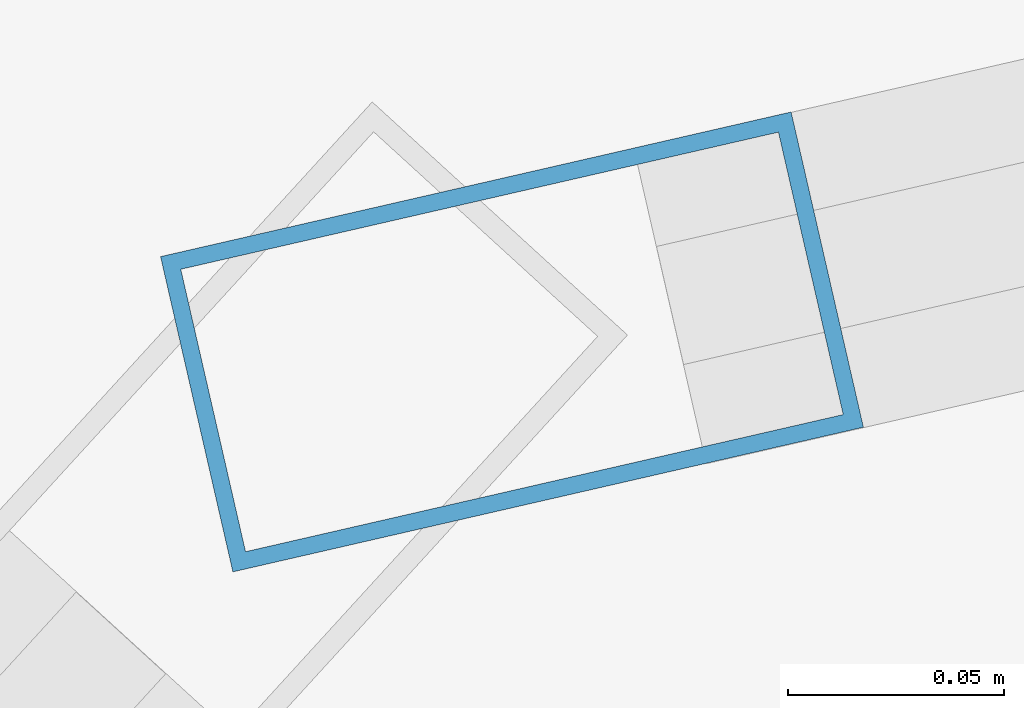
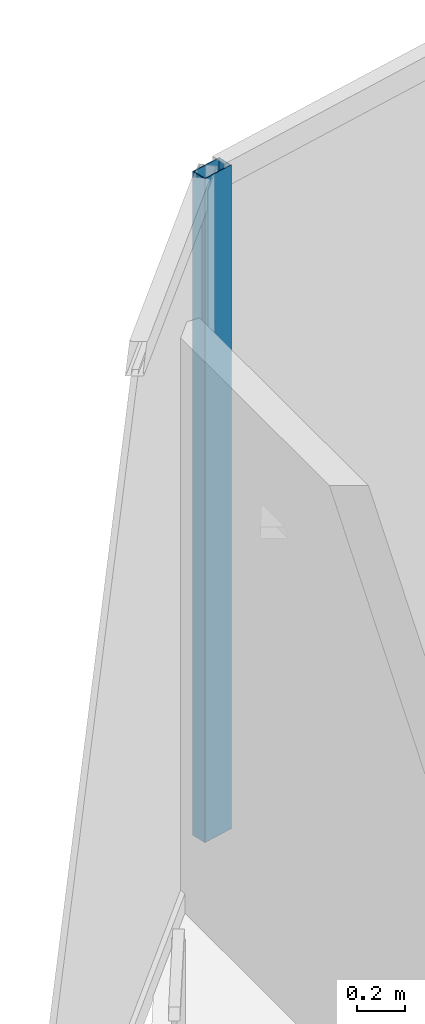
# One storey, part 19 of 34: 1 member, 1 element without a shape of its own.
"""IFC4 building model written with IfcOpenShell, lengths in metres."""

from ifc_helpers import new_model, si_unit, direction, frame, origin, origin_2d, place, context, subcontext, project, spatial, hollow_rectangle, extrude, material, layer, layer_set, material_profile, profile_set, type_object, element, aggregate, save


model = new_model("IFC4")

# Units and contexts
model_context = context("Model", 3, precision=1e-05, world=origin(), true_north=direction((0.0, 1.0)))
body_context = subcontext(model_context, "Body", "Model", "MODEL_VIEW")
ifc_project = project(units=[si_unit("LENGTHUNIT", "METRE"), si_unit("AREAUNIT", "SQUARE_METRE"), si_unit("VOLUMEUNIT", "CUBIC_METRE"), si_unit("PLANEANGLEUNIT", "RADIAN"), si_unit("MASSUNIT", "GRAM", prefix="KILO")], contexts=[model_context])

# Site, building, storey
site_placement = place(None, origin())
site = spatial("IfcSite", under=ifc_project, at=site_placement, CompositionType="ELEMENT")
building_placement = place(site_placement, origin())
building = spatial("IfcBuilding", under=site, at=building_placement, Name="Kazevale Care Tower and Concert Hall", CompositionType="ELEMENT")
storey_placement = place(building_placement, frame((0.0, 0.0, 163.800048828125)))
storey = spatial("IfcBuildingStorey", under=building, at=storey_placement, Name="L43", CompositionType="ELEMENT", Elevation=163.800048828125)

# Curtain wall, member
ifc_material_1 = material(Name="Aluminium 6063-T6 and Low-E Glass", Category="aluminium")
ifc_layer = layer(ifc_material_1, 0.179931640625)
ifc_layer_set = layer_set([ifc_layer], Name="Aluminium 6063-T6 and Low-E Glass")
curtain_wall_type = type_object("IfcCurtainWallType", Name="Convex Recessed Sunroom Curtain Wall CW-3", PredefinedType="NOTDEFINED", material=ifc_layer_set)
curtain_wall_placement = place(storey_placement, origin())
curtain_wall = element("IfcCurtainWall", 1, at=curtain_wall_placement, inside=storey, type_object=curtain_wall_type, Name="cw:L43:f15", PredefinedType="NOTDEFINED")
ifc_material_2 = material(Name="Aluminium 6063-T6", Category="aluminium")
ifc_material_profile = material_profile(ifc_material_2, hollow_rectangle(XDim=0.074951171875, YDim=0.14990234375, WallThickness=0.00390625, at=origin_2d()), Name="ALU75x150x4")
ifc_profile_set = profile_set([ifc_material_profile], Name="Aluminium 6063-T6")
member_type = type_object("IfcMemberType", Name="CW-3 Mullion ALU75x150x4", PredefinedType="MULLION", material=ifc_profile_set)
member_placement = place(storey_placement, frame((25.820556640625, 62.37841796875, 0.0), z_axis=(0.0, 0.0, 1.0), x_axis=(-0.223567329284, 0.974688488327, 0.0)))
member = element("IfcMember", 2, at=member_placement, type_object=member_type, Name="CW-3 mullion 1", PredefinedType="MULLION", context=body_context, shape_type="SweptSolid", body=[
    extrude(hollow_rectangle(XDim=0.074951171875, YDim=0.14990234375, WallThickness=0.00390625, at=origin_2d()), origin(), (0.0, 0.0, 1.0), 3.35986328125),
])
aggregate(curtain_wall, [member])

save(model, "model.ifc")
